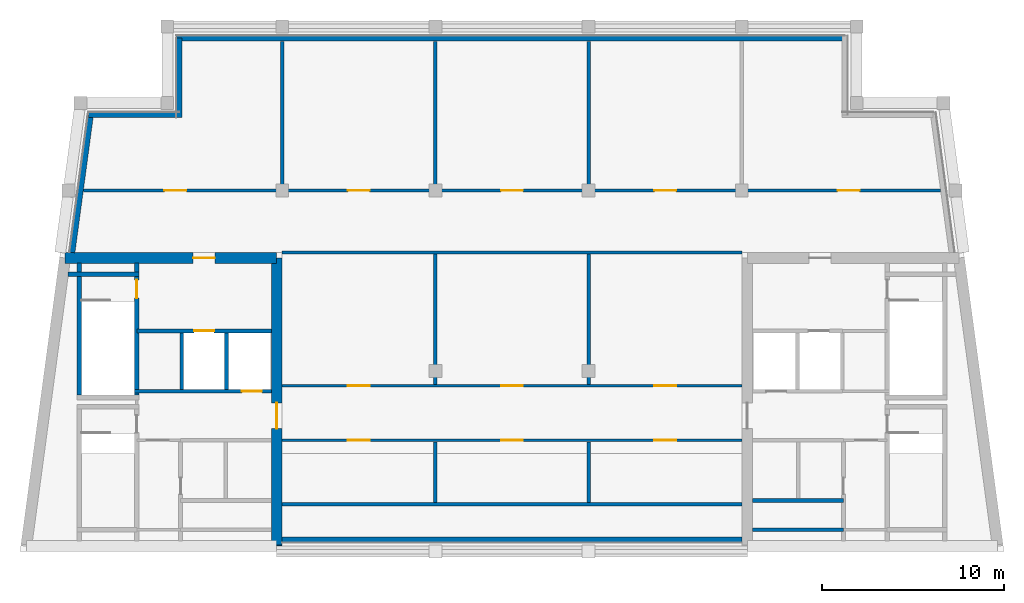
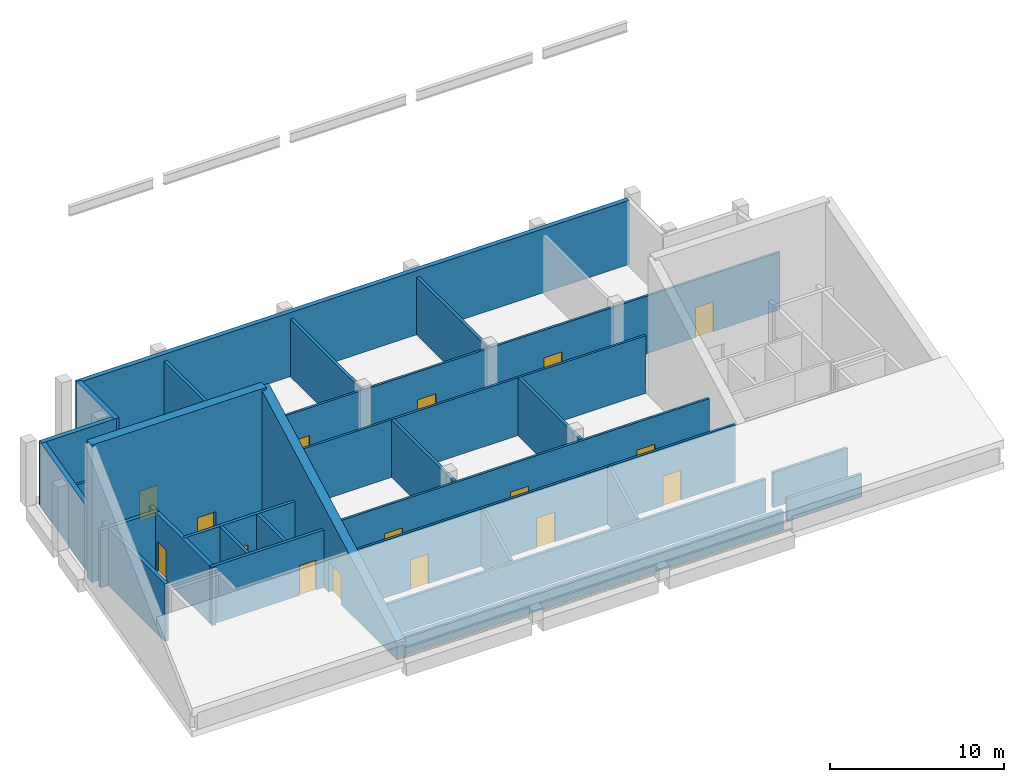
# One storey, part 2 of 4: 28 walls, 16 doors, 16 openings.
"""IFC4 building model written with IfcOpenShell, lengths in metres."""

from ifc_helpers import new_model, si_unit, direction, frame, frame_2d, origin, place, context, subcontext, project, spatial, polyline, rectangle, outline, extrude, material, layer, layer_set, type_object, element, fill, save


model = new_model("IFC4")

# Units and contexts
model_context = context("Model", 3, precision=1e-05, world=origin(), true_north=direction((0.0, 1.0)))
body_context = subcontext(model_context, "Body", "Model", "MODEL_VIEW")
ifc_project = project(units=[si_unit("LENGTHUNIT", "METRE"), si_unit("AREAUNIT", "SQUARE_METRE"), si_unit("VOLUMEUNIT", "CUBIC_METRE"), si_unit("PLANEANGLEUNIT", "RADIAN"), si_unit("MASSUNIT", "GRAM", prefix="KILO")], contexts=[model_context])

# Site, building, storey
site_placement = place(None, origin())
site = spatial("IfcSite", under=ifc_project, at=site_placement, CompositionType="ELEMENT")
building_placement = place(site_placement, origin())
building = spatial("IfcBuilding", under=site, at=building_placement, Name="Candeia Pilgrim Tower and Theatre", CompositionType="ELEMENT")
storey_placement = place(building_placement, frame((0.0, 0.0, 319.89990234375)))
storey = spatial("IfcBuildingStorey", under=building, at=storey_placement, Name="L77", CompositionType="ELEMENT", Elevation=319.89990234375)

# Wall, opening, door
ifc_material_1 = material(Name="Concrete C40/50", Category="concrete")
ifc_layer_1 = layer(ifc_material_1, 0.60009765625)
ifc_layer_set_1 = layer_set([ifc_layer_1], Name="Core wall 600 C40/50")
wall_type_1 = type_object("IfcWallType", Name="Core wall 600 C40/50", PredefinedType="SHEAR", material=ifc_layer_set_1)
wall_1_placement = place(storey_placement, frame((88.89306640625, 132.10009765625, 0.0), z_axis=(0.0, 0.0, 1.0), x_axis=(1.0, 0.0, 0.0)))
wall_1 = element("IfcWall", 1, at=wall_1_placement, inside=storey, type_object=wall_type_1, Name="Core wall W1", PredefinedType="SHEAR", context=body_context, shape_type="SweptSolid", body=[
    extrude(outline(polyline([(0.0, 0.0), (11.60693359375, 0.0), (11.60693359375, 9.6650390625), (0.0, 9.6650390625), (0.0, 0.0)])), frame((0.0, 0.300048828125, 0.0), z_axis=(0.0, -1.0, 0.0), x_axis=(1.0, 0.0, 0.0)), (0.0, 0.0, 1.0), 0.60009765625),
])
opening_1_placement = place(wall_1_placement, frame((7.0205078125, 0.0, 0.0)))
opening_1 = element("IfcOpeningElement", 2, at=opening_1_placement, cuts=wall_1, Name="Opening L77-D020", PredefinedType="OPENING", context=body_context, shape_type="SweptSolid", body=[
    extrude(rectangle(XDim=1.199951171875, YDim=2.10009765625, at=frame_2d((0.60009765625, 1.050048828125))), frame((0.0, 0.31005859375, 0.0), z_axis=(0.0, -1.0, 0.0), x_axis=(1.0, 0.0, 0.0)), (0.0, 0.0, 1.0), 0.6201171875),
])
ifc_material_2 = material(Name="Steel fire door set", Category="steel")
door_type_1 = type_object("IfcDoorType", Name="D-1200-FD60", OperationType="NOTDEFINED", PredefinedType="DOOR", material=ifc_material_2)
door_1_placement = place(opening_1_placement, origin())
door_1 = element("IfcDoor", 3, at=door_1_placement, inside=storey, type_object=door_type_1, Name="Door L77-D020", OperationType="SINGLE_SWING_LEFT", OverallHeight=2.10009765625, OverallWidth=1.199951171875, PredefinedType="DOOR", context=body_context, shape_type="SweptSolid", body=[
    extrude(rectangle(XDim=1.199951171875, YDim=2.10009765625, at=frame_2d((0.60009765625, 1.050048828125))), frame((0.0, 0.02490234375, 0.0), z_axis=(0.0, -1.0, 0.0), x_axis=(1.0, 0.0, 0.0)), (0.0, 0.0, 1.0), 0.050048828125),
])
fill(opening_1, door_1)

wall_2_placement = place(storey_placement, frame((100.5, 132.10009765625, 0.0), z_axis=(0.0, 0.0, 1.0), x_axis=(0.0, -1.0, 0.0)))
wall_2 = element("IfcWall", 4, at=wall_2_placement, inside=storey, type_object=wall_type_1, Name="Core wall W2", PredefinedType="SHEAR", context=body_context, shape_type="SweptSolid", body=[
    extrude(outline(polyline([(0.0, 0.0), (15.800048828125, 0.0), (15.800048828125, 1.16162109375), (9.5966796875, 4.5), (0.0, 9.6650390625), (0.0, 0.0)])), frame((0.0, 0.300048828125, 0.0), z_axis=(0.0, -1.0, 0.0), x_axis=(1.0, 0.0, 0.0)), (0.0, 0.0, 1.0), 0.60009765625),
])
opening_2_placement = place(wall_2_placement, frame((7.949951171875, 0.0, 0.0)))
opening_2 = element("IfcOpeningElement", 5, at=opening_2_placement, cuts=wall_2, Name="Opening L77-D021", PredefinedType="OPENING", context=body_context, shape_type="SweptSolid", body=[
    extrude(rectangle(XDim=1.39990234375, YDim=2.10009765625, at=frame_2d((0.699951171875, 1.050048828125))), frame((0.0, 0.31005859375, 0.0), z_axis=(0.0, -1.0, 0.0), x_axis=(1.0, 0.0, 0.0)), (0.0, 0.0, 1.0), 0.6201171875),
])
door_type_2 = type_object("IfcDoorType", Name="D-1400-FD60", OperationType="NOTDEFINED", PredefinedType="DOOR", material=ifc_material_2)
door_2_placement = place(opening_2_placement, origin())
door_2 = element("IfcDoor", 6, at=door_2_placement, inside=storey, type_object=door_type_2, Name="Door L77-D021", OperationType="SINGLE_SWING_RIGHT", OverallHeight=2.10009765625, OverallWidth=1.39990234375, PredefinedType="DOOR", context=body_context, shape_type="SweptSolid", body=[
    extrude(rectangle(XDim=1.39990234375, YDim=2.10009765625, at=frame_2d((0.699951171875, 1.050048828125))), frame((0.0, 0.02490234375, 0.0), z_axis=(0.0, -1.0, 0.0), x_axis=(1.0, 0.0, 0.0)), (0.0, 0.0, 1.0), 0.050048828125),
])
fill(opening_2, door_2)

# Walls
ifc_material_3 = material(Name="Ceramic block masonry", Category="masonry")
ifc_layer_2 = layer(ifc_material_3, 0.300048828125)
ifc_layer_set_2 = layer_set([ifc_layer_2], Name="EW1 glazing-line wall 300")
wall_type_2 = type_object("IfcWallType", Name="EW1 glazing-line wall 300", PredefinedType="SOLIDWALL", material=ifc_layer_set_2)
wall_3_placement = place(storey_placement, frame((90.302978515625, 139.949951171875, 0.0), z_axis=(0.0, 0.0, 1.0), x_axis=(-0.133412617465, -0.991060580137, 0.0)))
element("IfcWall", 7, at=wall_3_placement, inside=storey, type_object=wall_type_2, Name="External wall L77-0.0", PredefinedType="SOLIDWALL", context=body_context, shape_type="SweptSolid", body=[
    extrude(rectangle(XDim=7.6181640625, YDim=0.300048828125, at=frame_2d((3.80908203125, 0.0))), origin(), (0.0, 0.0, 1.0), 4.5),
])
wall_4_placement = place(storey_placement, frame((100.800048828125, 116.64990234375, 0.0), z_axis=(0.0, 0.0, 1.0), x_axis=(1.0, 0.0, 0.0)))
element("IfcWall", 8, at=wall_4_placement, inside=storey, type_object=wall_type_2, Name="External wall L77-1.0", PredefinedType="SOLIDWALL", context=body_context, shape_type="SweptSolid", body=[
    extrude(rectangle(XDim=25.199951171875, YDim=0.300048828125, at=frame_2d((12.60009765625, 0.0))), origin(), (0.0, 0.0, 1.0), 1.2998046875),
])
wall_5_placement = place(storey_placement, frame((131.64990234375, 144.14990234375, 0.0), z_axis=(0.0, 0.0, 1.0), x_axis=(-1.0, 0.0, 0.0)))
element("IfcWall", 9, at=wall_5_placement, inside=storey, type_object=wall_type_2, Name="External wall L77-5.0", PredefinedType="SOLIDWALL", context=body_context, shape_type="SweptSolid", body=[
    extrude(rectangle(XDim=36.64990234375, YDim=0.300048828125, at=frame_2d((18.324951171875, 0.0))), origin(), (0.0, 0.0, 1.0), 4.5),
])
wall_6_placement = place(storey_placement, frame((95.14990234375, 144.14990234375, 0.0), z_axis=(0.0, 0.0, 1.0), x_axis=(0.0, -1.0, 0.0)))
element("IfcWall", 10, at=wall_6_placement, inside=storey, type_object=wall_type_2, Name="External wall L77-6.0", PredefinedType="SOLIDWALL", context=body_context, shape_type="SweptSolid", body=[
    extrude(rectangle(XDim=4.349853515625, YDim=0.300048828125, at=frame_2d((2.1748046875, 0.0))), origin(), (0.0, 0.0, 1.0), 4.5),
])
wall_7_placement = place(storey_placement, frame((95.14990234375, 139.949951171875, 0.0), z_axis=(0.0, 0.0, 1.0), x_axis=(-1.0, 0.0, 0.0)))
element("IfcWall", 11, at=wall_7_placement, inside=storey, type_object=wall_type_2, Name="External wall L77-7.0", PredefinedType="SOLIDWALL", context=body_context, shape_type="SweptSolid", body=[
    extrude(rectangle(XDim=4.97802734375, YDim=0.300048828125, at=frame_2d((2.489013671875, 0.0))), origin(), (0.0, 0.0, 1.0), 4.5),
])

# Wall, openings, doors
ifc_material_4 = material(Name="Gypsum board partition on steel studs", Category="steel")
ifc_layer_3 = layer(ifc_material_4, 0.14990234375)
ifc_layer_set_3 = layer_set([ifc_layer_3], Name="PW-150 unit wall")
wall_type_3 = type_object("IfcWallType", Name="PW-150 unit wall", PredefinedType="PARTITIONING", material=ifc_layer_set_3)
wall_8_placement = place(storey_placement, frame((100.800048828125, 122.10009765625, 0.0), z_axis=(0.0, 0.0, 1.0), x_axis=(1.0, 0.0, 0.0)))
wall_8 = element("IfcWall", 12, at=wall_8_placement, inside=storey, type_object=wall_type_3, Name="Unit wall L77-014", PredefinedType="PARTITIONING", context=body_context, shape_type="SweptSolid", body=[
    extrude(rectangle(XDim=25.199951171875, YDim=0.14990234375, at=frame_2d((12.60009765625, 0.0))), origin(), (0.0, 0.0, 1.0), 4.050048828125),
])
opening_3_placement = place(wall_8_placement, frame((3.60009765625, 0.0, 0.0)))
opening_3 = element("IfcOpeningElement", 13, at=opening_3_placement, cuts=wall_8, Name="Opening L77-D001", PredefinedType="OPENING", context=body_context, shape_type="SweptSolid", body=[
    extrude(rectangle(XDim=1.199951171875, YDim=2.10009765625, at=frame_2d((0.60009765625, 1.050048828125))), frame((0.0, 0.0849609375, 0.0), z_axis=(0.0, -1.0, 0.0), x_axis=(1.0, 0.0, 0.0)), (0.0, 0.0, 1.0), 0.169921875),
])
opening_4_placement = place(wall_8_placement, frame((12.0, 0.0, 0.0)))
opening_4 = element("IfcOpeningElement", 14, at=opening_4_placement, cuts=wall_8, Name="Opening L77-D003", PredefinedType="OPENING", context=body_context, shape_type="SweptSolid", body=[
    extrude(rectangle(XDim=1.199951171875, YDim=2.10009765625, at=frame_2d((0.60009765625, 1.050048828125))), frame((0.0, 0.0849609375, 0.0), z_axis=(0.0, -1.0, 0.0), x_axis=(1.0, 0.0, 0.0)), (0.0, 0.0, 1.0), 0.169921875),
])
opening_5_placement = place(wall_8_placement, frame((20.39990234375, 0.0, 0.0)))
opening_5 = element("IfcOpeningElement", 15, at=opening_5_placement, cuts=wall_8, Name="Opening L77-D005", PredefinedType="OPENING", context=body_context, shape_type="SweptSolid", body=[
    extrude(rectangle(XDim=1.199951171875, YDim=2.10009765625, at=frame_2d((0.60009765625, 1.050048828125))), frame((0.0, 0.0849609375, 0.0), z_axis=(0.0, -1.0, 0.0), x_axis=(1.0, 0.0, 0.0)), (0.0, 0.0, 1.0), 0.169921875),
])
door_3_placement = place(opening_3_placement, origin())
door_3 = element("IfcDoor", 16, at=door_3_placement, inside=storey, type_object=door_type_1, Name="Door L77-D001", OperationType="SINGLE_SWING_RIGHT", OverallHeight=2.10009765625, OverallWidth=1.199951171875, PredefinedType="DOOR", context=body_context, shape_type="SweptSolid", body=[
    extrude(rectangle(XDim=1.199951171875, YDim=2.10009765625, at=frame_2d((0.60009765625, 1.050048828125))), frame((0.0, 0.02490234375, 0.0), z_axis=(0.0, -1.0, 0.0), x_axis=(1.0, 0.0, 0.0)), (0.0, 0.0, 1.0), 0.050048828125),
])
fill(opening_3, door_3)
door_4_placement = place(opening_4_placement, origin())
door_4 = element("IfcDoor", 17, at=door_4_placement, inside=storey, type_object=door_type_1, Name="Door L77-D003", OperationType="SINGLE_SWING_RIGHT", OverallHeight=2.10009765625, OverallWidth=1.199951171875, PredefinedType="DOOR", context=body_context, shape_type="SweptSolid", body=[
    extrude(rectangle(XDim=1.199951171875, YDim=2.10009765625, at=frame_2d((0.60009765625, 1.050048828125))), frame((0.0, 0.02490234375, 0.0), z_axis=(0.0, -1.0, 0.0), x_axis=(1.0, 0.0, 0.0)), (0.0, 0.0, 1.0), 0.050048828125),
])
fill(opening_4, door_4)
door_5_placement = place(opening_5_placement, origin())
door_5 = element("IfcDoor", 18, at=door_5_placement, inside=storey, type_object=door_type_1, Name="Door L77-D005", OperationType="SINGLE_SWING_RIGHT", OverallHeight=2.10009765625, OverallWidth=1.199951171875, PredefinedType="DOOR", context=body_context, shape_type="SweptSolid", body=[
    extrude(rectangle(XDim=1.199951171875, YDim=2.10009765625, at=frame_2d((0.60009765625, 1.050048828125))), frame((0.0, 0.02490234375, 0.0), z_axis=(0.0, -1.0, 0.0), x_axis=(1.0, 0.0, 0.0)), (0.0, 0.0, 1.0), 0.050048828125),
])
fill(opening_5, door_5)

wall_9_placement = place(storey_placement, frame((100.800048828125, 125.10009765625, 0.0), z_axis=(0.0, 0.0, 1.0), x_axis=(1.0, 0.0, 0.0)))
wall_9 = element("IfcWall", 19, at=wall_9_placement, inside=storey, type_object=wall_type_3, Name="Unit wall L77-022", PredefinedType="PARTITIONING", context=body_context, shape_type="SweptSolid", body=[
    extrude(rectangle(XDim=25.199951171875, YDim=0.14990234375, at=frame_2d((12.60009765625, 0.0))), origin(), (0.0, 0.0, 1.0), 4.050048828125),
])
opening_6_placement = place(wall_9_placement, frame((3.60009765625, 0.0, 0.0)))
opening_6 = element("IfcOpeningElement", 20, at=opening_6_placement, cuts=wall_9, Name="Opening L77-D002", PredefinedType="OPENING", context=body_context, shape_type="SweptSolid", body=[
    extrude(rectangle(XDim=1.199951171875, YDim=2.10009765625, at=frame_2d((0.60009765625, 1.050048828125))), frame((0.0, 0.0849609375, 0.0), z_axis=(0.0, -1.0, 0.0), x_axis=(1.0, 0.0, 0.0)), (0.0, 0.0, 1.0), 0.169921875),
])
opening_7_placement = place(wall_9_placement, frame((12.0, 0.0, 0.0)))
opening_7 = element("IfcOpeningElement", 21, at=opening_7_placement, cuts=wall_9, Name="Opening L77-D004", PredefinedType="OPENING", context=body_context, shape_type="SweptSolid", body=[
    extrude(rectangle(XDim=1.199951171875, YDim=2.10009765625, at=frame_2d((0.60009765625, 1.050048828125))), frame((0.0, 0.0849609375, 0.0), z_axis=(0.0, -1.0, 0.0), x_axis=(1.0, 0.0, 0.0)), (0.0, 0.0, 1.0), 0.169921875),
])
opening_8_placement = place(wall_9_placement, frame((20.39990234375, 0.0, 0.0)))
opening_8 = element("IfcOpeningElement", 22, at=opening_8_placement, cuts=wall_9, Name="Opening L77-D006", PredefinedType="OPENING", context=body_context, shape_type="SweptSolid", body=[
    extrude(rectangle(XDim=1.199951171875, YDim=2.10009765625, at=frame_2d((0.60009765625, 1.050048828125))), frame((0.0, 0.0849609375, 0.0), z_axis=(0.0, -1.0, 0.0), x_axis=(1.0, 0.0, 0.0)), (0.0, 0.0, 1.0), 0.169921875),
])
door_6_placement = place(opening_6_placement, origin())
door_6 = element("IfcDoor", 23, at=door_6_placement, inside=storey, type_object=door_type_1, Name="Door L77-D002", OperationType="SINGLE_SWING_LEFT", OverallHeight=2.10009765625, OverallWidth=1.199951171875, PredefinedType="DOOR", context=body_context, shape_type="SweptSolid", body=[
    extrude(rectangle(XDim=1.199951171875, YDim=2.10009765625, at=frame_2d((0.60009765625, 1.050048828125))), frame((0.0, 0.02490234375, 0.0), z_axis=(0.0, -1.0, 0.0), x_axis=(1.0, 0.0, 0.0)), (0.0, 0.0, 1.0), 0.050048828125),
])
fill(opening_6, door_6)
door_7_placement = place(opening_7_placement, origin())
door_7 = element("IfcDoor", 24, at=door_7_placement, inside=storey, type_object=door_type_1, Name="Door L77-D004", OperationType="SINGLE_SWING_LEFT", OverallHeight=2.10009765625, OverallWidth=1.199951171875, PredefinedType="DOOR", context=body_context, shape_type="SweptSolid", body=[
    extrude(rectangle(XDim=1.199951171875, YDim=2.10009765625, at=frame_2d((0.60009765625, 1.050048828125))), frame((0.0, 0.02490234375, 0.0), z_axis=(0.0, -1.0, 0.0), x_axis=(1.0, 0.0, 0.0)), (0.0, 0.0, 1.0), 0.050048828125),
])
fill(opening_7, door_7)
door_8_placement = place(opening_8_placement, origin())
door_8 = element("IfcDoor", 25, at=door_8_placement, inside=storey, type_object=door_type_1, Name="Door L77-D006", OperationType="SINGLE_SWING_LEFT", OverallHeight=2.10009765625, OverallWidth=1.199951171875, PredefinedType="DOOR", context=body_context, shape_type="SweptSolid", body=[
    extrude(rectangle(XDim=1.199951171875, YDim=2.10009765625, at=frame_2d((0.60009765625, 1.050048828125))), frame((0.0, 0.02490234375, 0.0), z_axis=(0.0, -1.0, 0.0), x_axis=(1.0, 0.0, 0.0)), (0.0, 0.0, 1.0), 0.050048828125),
])
fill(opening_8, door_8)

# Wall
wall_10_placement = place(storey_placement, frame((100.800048828125, 132.39990234375, 0.0), z_axis=(0.0, 0.0, 1.0), x_axis=(1.0, 0.0, 0.0)))
element("IfcWall", 26, at=wall_10_placement, inside=storey, type_object=wall_type_3, Name="Unit wall L77-028", PredefinedType="PARTITIONING", context=body_context, shape_type="SweptSolid", body=[
    extrude(rectangle(XDim=25.199951171875, YDim=0.14990234375, at=frame_2d((12.60009765625, 0.0))), origin(), (0.0, 0.0, 1.0), 4.050048828125),
])

# Wall, openings, doors
wall_11_placement = place(storey_placement, frame((89.916015625, 135.800048828125, 0.0), z_axis=(0.0, 0.0, 1.0), x_axis=(1.0, 0.0, 0.0)))
wall_11 = element("IfcWall", 27, at=wall_11_placement, inside=storey, type_object=wall_type_3, Name="Unit wall L77-029", PredefinedType="PARTITIONING", context=body_context, shape_type="SweptSolid", body=[
    extrude(rectangle(XDim=46.968017578125, YDim=0.14990234375, at=frame_2d((23.48388671875, 0.0))), origin(), (0.0, 0.0, 1.0), 4.050048828125),
])
opening_9_placement = place(wall_11_placement, frame((4.427978515625, 0.0, 0.0)))
opening_9 = element("IfcOpeningElement", 28, at=opening_9_placement, cuts=wall_11, Name="Opening L77-D007", PredefinedType="OPENING", context=body_context, shape_type="SweptSolid", body=[
    extrude(rectangle(XDim=1.199951171875, YDim=2.10009765625, at=frame_2d((0.60009765625, 1.050048828125))), frame((0.0, 0.0849609375, 0.0), z_axis=(0.0, -1.0, 0.0), x_axis=(1.0, 0.0, 0.0)), (0.0, 0.0, 1.0), 0.169921875),
])
opening_10_placement = place(wall_11_placement, frame((14.484130859375, 0.0, 0.0)))
opening_10 = element("IfcOpeningElement", 29, at=opening_10_placement, cuts=wall_11, Name="Opening L77-D008", PredefinedType="OPENING", context=body_context, shape_type="SweptSolid", body=[
    extrude(rectangle(XDim=1.199951171875, YDim=2.10009765625, at=frame_2d((0.60009765625, 1.050048828125))), frame((0.0, 0.0849609375, 0.0), z_axis=(0.0, -1.0, 0.0), x_axis=(1.0, 0.0, 0.0)), (0.0, 0.0, 1.0), 0.169921875),
])
opening_11_placement = place(wall_11_placement, frame((22.884033203125, 0.0, 0.0)))
opening_11 = element("IfcOpeningElement", 30, at=opening_11_placement, cuts=wall_11, Name="Opening L77-D009", PredefinedType="OPENING", context=body_context, shape_type="SweptSolid", body=[
    extrude(rectangle(XDim=1.199951171875, YDim=2.10009765625, at=frame_2d((0.60009765625, 1.050048828125))), frame((0.0, 0.0849609375, 0.0), z_axis=(0.0, -1.0, 0.0), x_axis=(1.0, 0.0, 0.0)), (0.0, 0.0, 1.0), 0.169921875),
])
opening_12_placement = place(wall_11_placement, frame((31.2841796875, 0.0, 0.0)))
opening_12 = element("IfcOpeningElement", 31, at=opening_12_placement, cuts=wall_11, Name="Opening L77-D010", PredefinedType="OPENING", context=body_context, shape_type="SweptSolid", body=[
    extrude(rectangle(XDim=1.199951171875, YDim=2.10009765625, at=frame_2d((0.60009765625, 1.050048828125))), frame((0.0, 0.0849609375, 0.0), z_axis=(0.0, -1.0, 0.0), x_axis=(1.0, 0.0, 0.0)), (0.0, 0.0, 1.0), 0.169921875),
])
opening_13_placement = place(wall_11_placement, frame((41.340087890625, 0.0, 0.0)))
opening_13 = element("IfcOpeningElement", 32, at=opening_13_placement, cuts=wall_11, Name="Opening L77-D011", PredefinedType="OPENING", context=body_context, shape_type="SweptSolid", body=[
    extrude(rectangle(XDim=1.199951171875, YDim=2.10009765625, at=frame_2d((0.60009765625, 1.050048828125))), frame((0.0, 0.0849609375, 0.0), z_axis=(0.0, -1.0, 0.0), x_axis=(1.0, 0.0, 0.0)), (0.0, 0.0, 1.0), 0.169921875),
])
door_9_placement = place(opening_9_placement, origin())
door_9 = element("IfcDoor", 33, at=door_9_placement, inside=storey, type_object=door_type_1, Name="Door L77-D007", OperationType="SINGLE_SWING_RIGHT", OverallHeight=2.10009765625, OverallWidth=1.199951171875, PredefinedType="DOOR", context=body_context, shape_type="SweptSolid", body=[
    extrude(rectangle(XDim=1.199951171875, YDim=2.10009765625, at=frame_2d((0.60009765625, 1.050048828125))), frame((0.0, 0.02490234375, 0.0), z_axis=(0.0, -1.0, 0.0), x_axis=(1.0, 0.0, 0.0)), (0.0, 0.0, 1.0), 0.050048828125),
])
fill(opening_9, door_9)
door_10_placement = place(opening_10_placement, origin())
door_10 = element("IfcDoor", 34, at=door_10_placement, inside=storey, type_object=door_type_1, Name="Door L77-D008", OperationType="SINGLE_SWING_LEFT", OverallHeight=2.10009765625, OverallWidth=1.199951171875, PredefinedType="DOOR", context=body_context, shape_type="SweptSolid", body=[
    extrude(rectangle(XDim=1.199951171875, YDim=2.10009765625, at=frame_2d((0.60009765625, 1.050048828125))), frame((0.0, 0.02490234375, 0.0), z_axis=(0.0, -1.0, 0.0), x_axis=(1.0, 0.0, 0.0)), (0.0, 0.0, 1.0), 0.050048828125),
])
fill(opening_10, door_10)
door_11_placement = place(opening_11_placement, origin())
door_11 = element("IfcDoor", 35, at=door_11_placement, inside=storey, type_object=door_type_1, Name="Door L77-D009", OperationType="SINGLE_SWING_RIGHT", OverallHeight=2.10009765625, OverallWidth=1.199951171875, PredefinedType="DOOR", context=body_context, shape_type="SweptSolid", body=[
    extrude(rectangle(XDim=1.199951171875, YDim=2.10009765625, at=frame_2d((0.60009765625, 1.050048828125))), frame((0.0, 0.02490234375, 0.0), z_axis=(0.0, -1.0, 0.0), x_axis=(1.0, 0.0, 0.0)), (0.0, 0.0, 1.0), 0.050048828125),
])
fill(opening_11, door_11)
door_12_placement = place(opening_12_placement, origin())
door_12 = element("IfcDoor", 36, at=door_12_placement, inside=storey, type_object=door_type_1, Name="Door L77-D010", OperationType="SINGLE_SWING_LEFT", OverallHeight=2.10009765625, OverallWidth=1.199951171875, PredefinedType="DOOR", context=body_context, shape_type="SweptSolid", body=[
    extrude(rectangle(XDim=1.199951171875, YDim=2.10009765625, at=frame_2d((0.60009765625, 1.050048828125))), frame((0.0, 0.02490234375, 0.0), z_axis=(0.0, -1.0, 0.0), x_axis=(1.0, 0.0, 0.0)), (0.0, 0.0, 1.0), 0.050048828125),
])
fill(opening_12, door_12)
door_13_placement = place(opening_13_placement, origin())
door_13 = element("IfcDoor", 37, at=door_13_placement, inside=storey, type_object=door_type_1, Name="Door L77-D011", OperationType="SINGLE_SWING_RIGHT", OverallHeight=2.10009765625, OverallWidth=1.199951171875, PredefinedType="DOOR", context=body_context, shape_type="SweptSolid", body=[
    extrude(rectangle(XDim=1.199951171875, YDim=2.10009765625, at=frame_2d((0.60009765625, 1.050048828125))), frame((0.0, 0.02490234375, 0.0), z_axis=(0.0, -1.0, 0.0), x_axis=(1.0, 0.0, 0.0)), (0.0, 0.0, 1.0), 0.050048828125),
])
fill(opening_13, door_13)

# Walls
ifc_layer_4 = layer(ifc_material_4, 0.199951171875)
ifc_layer_set_4 = layer_set([ifc_layer_4], Name="PW-200 party wall")
wall_type_4 = type_object("IfcWallType", Name="PW-200 party wall", PredefinedType="PARTITIONING", material=ifc_layer_set_4)
wall_12_placement = place(storey_placement, frame((100.800048828125, 118.60107421875, 0.0), z_axis=(0.0, 0.0, 1.0), x_axis=(1.0, 0.0, 0.0)))
element("IfcWall", 38, at=wall_12_placement, inside=storey, type_object=wall_type_4, Name="Party wall L77-007", PredefinedType="PARTITIONING", context=body_context, shape_type="SweptSolid", body=[
    extrude(rectangle(XDim=25.199951171875, YDim=0.199951171875, at=frame_2d((12.60009765625, 0.0))), origin(), (0.0, 0.0, 1.0), 2.349853515625),
])
wall_13_placement = place(storey_placement, frame((100.800048828125, 135.875, 0.0), z_axis=(0.0, 0.0, 1.0), x_axis=(0.0, 1.0, 0.0)))
element("IfcWall", 39, at=wall_13_placement, inside=storey, type_object=wall_type_4, Name="Party wall L77-039", PredefinedType="PARTITIONING", context=body_context, shape_type="SweptSolid", body=[
    extrude(rectangle(XDim=8.10498046875, YDim=0.199951171875, at=frame_2d((4.052490234375, 0.0))), origin(), (0.0, 0.0, 1.0), 4.050048828125),
])
wall_14_placement = place(storey_placement, frame((109.199951171875, 118.700927734375, 0.0), z_axis=(0.0, 0.0, 1.0), x_axis=(0.0, 1.0, 0.0)))
element("IfcWall", 40, at=wall_14_placement, inside=storey, type_object=wall_type_4, Name="Party wall L77-040", PredefinedType="PARTITIONING", context=body_context, shape_type="SweptSolid", body=[
    extrude(outline(polyline([(0.0, 0.0), (3.323974609375, 0.0), (3.323974609375, 4.050048828125), (3.05908203125, 4.050048828125), (0.0, 2.40380859375), (0.0, 0.0)])), frame((0.0, 0.10009765625, 0.0), z_axis=(0.0, -1.0, 0.0), x_axis=(1.0, 0.0, 0.0)), (0.0, 0.0, 1.0), 0.199951171875),
])
wall_15_placement = place(storey_placement, frame((109.199951171875, 125.175048828125, 0.0), z_axis=(0.0, 0.0, 1.0), x_axis=(0.0, 1.0, 0.0)))
element("IfcWall", 41, at=wall_15_placement, inside=storey, type_object=wall_type_4, Name="Party wall L77-041", PredefinedType="PARTITIONING", context=body_context, shape_type="SweptSolid", body=[
    extrude(rectangle(XDim=7.14990234375, YDim=0.199951171875, at=frame_2d((3.574951171875, 0.0))), origin(), (0.0, 0.0, 1.0), 4.050048828125),
])
wall_16_placement = place(storey_placement, frame((109.199951171875, 135.875, 0.0), z_axis=(0.0, 0.0, 1.0), x_axis=(0.0, 1.0, 0.0)))
element("IfcWall", 42, at=wall_16_placement, inside=storey, type_object=wall_type_4, Name="Party wall L77-042", PredefinedType="PARTITIONING", context=body_context, shape_type="SweptSolid", body=[
    extrude(rectangle(XDim=8.10498046875, YDim=0.199951171875, at=frame_2d((4.052490234375, 0.0))), origin(), (0.0, 0.0, 1.0), 4.050048828125),
])
wall_17_placement = place(storey_placement, frame((117.60009765625, 118.700927734375, 0.0), z_axis=(0.0, 0.0, 1.0), x_axis=(0.0, 1.0, 0.0)))
element("IfcWall", 43, at=wall_17_placement, inside=storey, type_object=wall_type_4, Name="Party wall L77-043", PredefinedType="PARTITIONING", context=body_context, shape_type="SweptSolid", body=[
    extrude(outline(polyline([(0.0, 0.0), (3.323974609375, 0.0), (3.323974609375, 4.050048828125), (3.05908203125, 4.050048828125), (0.0, 2.40380859375), (0.0, 0.0)])), frame((0.0, 0.10009765625, 0.0), z_axis=(0.0, -1.0, 0.0), x_axis=(1.0, 0.0, 0.0)), (0.0, 0.0, 1.0), 0.199951171875),
])
wall_18_placement = place(storey_placement, frame((117.60009765625, 125.175048828125, 0.0), z_axis=(0.0, 0.0, 1.0), x_axis=(0.0, 1.0, 0.0)))
element("IfcWall", 44, at=wall_18_placement, inside=storey, type_object=wall_type_4, Name="Party wall L77-044", PredefinedType="PARTITIONING", context=body_context, shape_type="SweptSolid", body=[
    extrude(rectangle(XDim=7.14990234375, YDim=0.199951171875, at=frame_2d((3.574951171875, 0.0))), origin(), (0.0, 0.0, 1.0), 4.050048828125),
])
wall_19_placement = place(storey_placement, frame((117.60009765625, 135.875, 0.0), z_axis=(0.0, 0.0, 1.0), x_axis=(0.0, 1.0, 0.0)))
element("IfcWall", 45, at=wall_19_placement, inside=storey, type_object=wall_type_4, Name="Party wall L77-045", PredefinedType="PARTITIONING", context=body_context, shape_type="SweptSolid", body=[
    extrude(rectangle(XDim=8.10498046875, YDim=0.199951171875, at=frame_2d((4.052490234375, 0.0))), origin(), (0.0, 0.0, 1.0), 4.050048828125),
])
ifc_layer_5 = layer(ifc_material_1, 0.199951171875)
ifc_layer_set_5 = layer_set([ifc_layer_5], Name="SW-200 shaft wall")
wall_type_5 = type_object("IfcWallType", Name="SW-200 shaft wall", PredefinedType="PARTITIONING", material=ifc_layer_set_5)
wall_20_placement = place(storey_placement, frame((126.60009765625, 117.199951171875, 0.0), z_axis=(0.0, 0.0, 1.0), x_axis=(1.0, 0.0, 0.0)))
element("IfcWall", 46, at=wall_20_placement, inside=storey, type_object=wall_type_5, Name="Shaft wall L77-002", PredefinedType="PARTITIONING", context=body_context, shape_type="SweptSolid", body=[
    extrude(rectangle(XDim=4.972900390625, YDim=0.199951171875, at=frame_2d((2.486328125, 0.0))), origin(), (0.0, 0.0, 1.0), 1.595947265625),
])
wall_21_placement = place(storey_placement, frame((126.60009765625, 118.800048828125, 0.0), z_axis=(0.0, 0.0, 1.0), x_axis=(1.0, 0.0, 0.0)))
element("IfcWall", 47, at=wall_21_placement, inside=storey, type_object=wall_type_5, Name="Shaft wall L77-009", PredefinedType="PARTITIONING", context=body_context, shape_type="SweptSolid", body=[
    extrude(rectangle(XDim=4.972900390625, YDim=0.199951171875, at=frame_2d((2.486328125, 0.0))), origin(), (0.0, 0.0, 1.0), 2.45703125),
])

# Wall, opening, door
wall_22_placement = place(storey_placement, frame((92.701904296875, 124.800048828125, 0.0), z_axis=(0.0, 0.0, 1.0), x_axis=(1.0, 0.0, 0.0)))
wall_22 = element("IfcWall", 48, at=wall_22_placement, inside=storey, type_object=wall_type_5, Name="Shaft wall L77-019", PredefinedType="PARTITIONING", context=body_context, shape_type="SweptSolid", body=[
    extrude(rectangle(XDim=7.498046875, YDim=0.199951171875, at=frame_2d((3.7490234375, 0.0))), origin(), (0.0, 0.0, 1.0), 4.050048828125),
])
opening_14_placement = place(wall_22_placement, frame((5.884033203125, 0.0, 0.0)))
opening_14 = element("IfcOpeningElement", 49, at=opening_14_placement, cuts=wall_22, Name="Opening L77-LD02", PredefinedType="OPENING", context=body_context, shape_type="SweptSolid", body=[
    extrude(rectangle(XDim=1.10009765625, YDim=2.10009765625, at=frame_2d((0.550048828125, 1.050048828125))), frame((0.0, 0.10986328125, 0.0), z_axis=(0.0, -1.0, 0.0), x_axis=(1.0, 0.0, 0.0)), (0.0, 0.0, 1.0), 0.219970703125),
])
ifc_material_5 = material(Name="Glazed aluminium landing door", Category="aluminium")
door_type_3 = type_object("IfcDoorType", Name="LD-1100-EI120", OperationType="SLIDING_TO_LEFT", PredefinedType="DOOR", material=ifc_material_5)
door_14_placement = place(opening_14_placement, origin())
door_14 = element("IfcDoor", 50, at=door_14_placement, inside=storey, type_object=door_type_3, Name="Landing door 02 L77", OperationType="SLIDING_TO_LEFT", OverallHeight=2.10009765625, OverallWidth=1.10009765625, PredefinedType="DOOR", context=body_context, shape_type="SweptSolid", body=[
    extrude(rectangle(XDim=1.10009765625, YDim=2.10009765625, at=frame_2d((0.550048828125, 1.050048828125))), frame((0.0, 0.02490234375, 0.0), z_axis=(0.0, -1.0, 0.0), x_axis=(1.0, 0.0, 0.0)), (0.0, 0.0, 1.0), 0.050048828125),
])
fill(opening_14, door_14)

wall_23_placement = place(storey_placement, frame((92.826904296875, 128.10009765625, 0.0), z_axis=(0.0, 0.0, 1.0), x_axis=(1.0, 0.0, 0.0)))
wall_23 = element("IfcWall", 51, at=wall_23_placement, inside=storey, type_object=wall_type_5, Name="Shaft wall L77-023", PredefinedType="PARTITIONING", context=body_context, shape_type="SweptSolid", body=[
    extrude(rectangle(XDim=7.373046875, YDim=0.199951171875, at=frame_2d((3.6865234375, 0.0))), origin(), (0.0, 0.0, 1.0), 4.050048828125),
])
opening_15_placement = place(wall_23_placement, frame((3.136962890625, 0.0, 0.0)))
opening_15 = element("IfcOpeningElement", 52, at=opening_15_placement, cuts=wall_23, Name="Opening L77-LD01", PredefinedType="OPENING", context=body_context, shape_type="SweptSolid", body=[
    extrude(rectangle(XDim=1.10009765625, YDim=2.10009765625, at=frame_2d((0.550048828125, 1.050048828125))), frame((0.0, 0.10986328125, 0.0), z_axis=(0.0, -1.0, 0.0), x_axis=(1.0, 0.0, 0.0)), (0.0, 0.0, 1.0), 0.219970703125),
])
door_15_placement = place(opening_15_placement, origin())
door_15 = element("IfcDoor", 53, at=door_15_placement, inside=storey, type_object=door_type_3, Name="Landing door 01 L77", OperationType="SLIDING_TO_LEFT", OverallHeight=2.10009765625, OverallWidth=1.10009765625, PredefinedType="DOOR", context=body_context, shape_type="SweptSolid", body=[
    extrude(rectangle(XDim=1.10009765625, YDim=2.10009765625, at=frame_2d((0.550048828125, 1.050048828125))), frame((0.0, 0.02490234375, 0.0), z_axis=(0.0, -1.0, 0.0), x_axis=(1.0, 0.0, 0.0)), (0.0, 0.0, 1.0), 0.050048828125),
])
fill(opening_15, door_15)

# Walls
for number, where, z_axis, x_axis, name in (
    (54, (95.28466796875, 124.89990234375, 0.0), (0.0, 0.0, 1.0), (0.0, 1.0, 0.0), "Shaft wall L77-036"),
    (55, (97.7421875, 124.89990234375, 0.0), (0.0, 0.0, 1.0), (0.0, 1.0, 0.0), "Shaft wall L77-038"),
):
    element("IfcWall", number, at=place(storey_placement, frame(where, z_axis=z_axis, x_axis=x_axis)), inside=storey, type_object=wall_type_5, Name=name, PredefinedType="PARTITIONING", context=body_context, shape_type="SweptSolid", body=[
        extrude(rectangle(XDim=3.10009765625, YDim=0.199951171875, at=frame_2d((1.550048828125, 0.0))), origin(), (0.0, 0.0, 1.0), 4.050048828125),
    ])
ifc_layer_6 = layer(ifc_material_1, 0.25)
ifc_layer_set_6 = layer_set([ifc_layer_6], Name="SW-250 stair wall")
wall_type_6 = type_object("IfcWallType", Name="SW-250 stair wall", PredefinedType="PARTITIONING", material=ifc_layer_set_6)
wall_24_placement = place(storey_placement, frame((89.044677734375, 131.199951171875, 0.0), z_axis=(0.0, 0.0, 1.0), x_axis=(1.0, 0.0, 0.0)))
element("IfcWall", 56, at=wall_24_placement, inside=storey, type_object=wall_type_6, Name="Stair wall L77-026", PredefinedType="PARTITIONING", context=body_context, shape_type="SweptSolid", body=[
    extrude(rectangle(XDim=3.9072265625, YDim=0.25, at=frame_2d((1.95361328125, 0.0))), origin(), (0.0, 0.0, 1.0), 4.050048828125),
])
wall_25_placement = place(storey_placement, frame((89.677001953125, 124.574951171875, 0.0), z_axis=(0.0, 0.0, 1.0), x_axis=(0.0, 1.0, 0.0)))
element("IfcWall", 57, at=wall_25_placement, inside=storey, type_object=wall_type_6, Name="Stair wall L77-031", PredefinedType="PARTITIONING", context=body_context, shape_type="SweptSolid", body=[
    extrude(rectangle(XDim=7.255126953125, YDim=0.25, at=frame_2d((3.62744140625, 0.0))), origin(), (0.0, 0.0, 1.0), 4.050048828125),
])

# Wall, opening, door
wall_26_placement = place(storey_placement, frame((92.826904296875, 124.574951171875, 0.0), z_axis=(0.0, 0.0, 1.0), x_axis=(0.0, 1.0, 0.0)))
wall_26 = element("IfcWall", 58, at=wall_26_placement, inside=storey, type_object=wall_type_6, Name="Stair wall L77-034", PredefinedType="PARTITIONING", context=body_context, shape_type="SweptSolid", body=[
    extrude(rectangle(XDim=7.255126953125, YDim=0.25, at=frame_2d((3.62744140625, 0.0))), origin(), (0.0, 0.0, 1.0), 4.050048828125),
])
opening_16_placement = place(wall_26_placement, frame((5.324951171875, 0.0, 0.0)))
opening_16 = element("IfcOpeningElement", 59, at=opening_16_placement, cuts=wall_26, Name="Opening L77-D014", PredefinedType="OPENING", context=body_context, shape_type="SweptSolid", body=[
    extrude(rectangle(XDim=1.0, YDim=2.10009765625, at=frame_2d((0.5, 1.050048828125))), frame((0.0, 0.135009765625, 0.0), z_axis=(0.0, -1.0, 0.0), x_axis=(1.0, 0.0, 0.0)), (0.0, 0.0, 1.0), 0.27001953125),
])
door_type_4 = type_object("IfcDoorType", Name="D-1000-FD60", OperationType="NOTDEFINED", PredefinedType="DOOR", material=ifc_material_2)
door_16_placement = place(opening_16_placement, origin())
door_16 = element("IfcDoor", 60, at=door_16_placement, inside=storey, type_object=door_type_4, Name="Door L77-D014", OperationType="SINGLE_SWING_LEFT", OverallHeight=2.10009765625, OverallWidth=1.0, PredefinedType="DOOR", context=body_context, shape_type="SweptSolid", body=[
    extrude(rectangle(XDim=1.0, YDim=2.10009765625, at=frame_2d((0.5, 1.050048828125))), frame((0.0, 0.02490234375, 0.0), z_axis=(0.0, -1.0, 0.0), x_axis=(1.0, 0.0, 0.0)), (0.0, 0.0, 1.0), 0.050048828125),
])
fill(opening_16, door_16)

save(model, "model.ifc")
